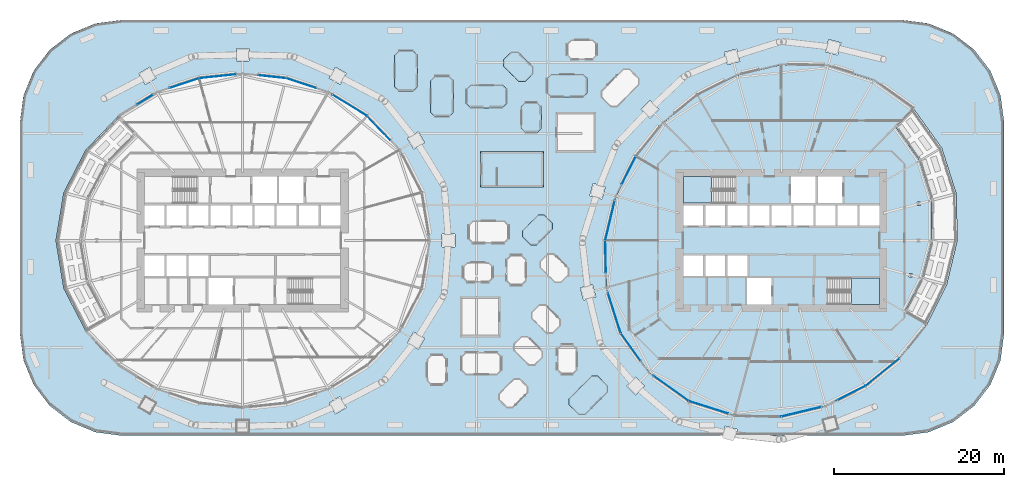
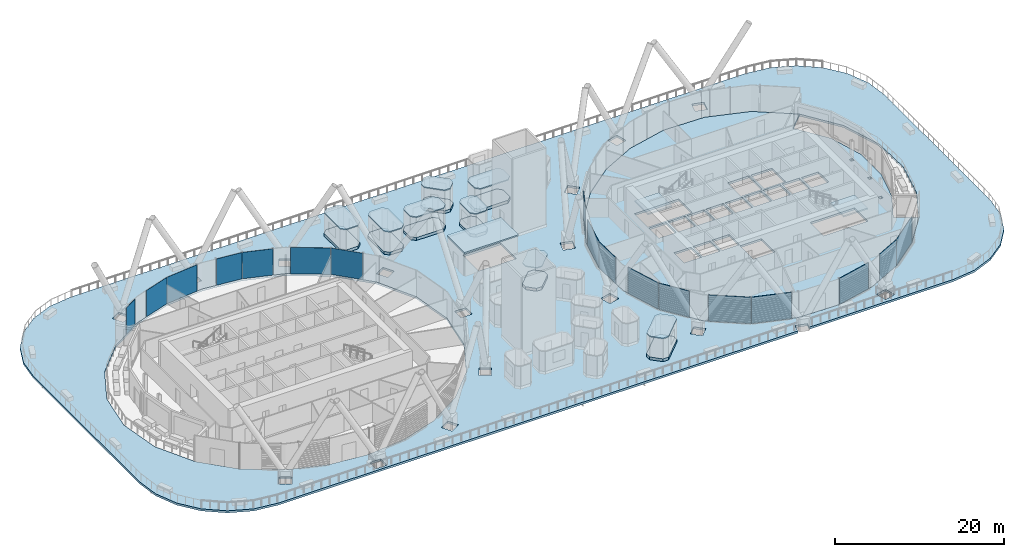
# One storey, part 22 of 47: 21 slabs, 17 plates, 4 elements without a shape of their own.
"""IFC4 building model written with IfcOpenShell, lengths in metres."""

import ifcopenshell
import ifcopenshell.guid

model = None  # the IFC model being written
_history = None  # IfcOwnerHistory: only IFC2X3 demands one
_inside = {}  # id of a spatial element -> (the spatial element, [elements in it])
_under = {}  # id of a project, library or spatial element -> (it, [spatial elements below it])
_declared = {}  # id of a project -> (the project, [libraries it declares])
_typed = {}  # id of a type object -> (the type object, [elements of that type])
_made_of = {}  # id of a material, layer set ... -> (it, [elements and type objects made of it])


def new_model(schema):
    """Start an empty IFC model of exactly this schema.

    Asked for "IFC4X3", IfcOpenShell would pick the latest addendum, in which some entities
    have other attributes; the version numbers below select the first issue.
    IFC2X3 requires an IfcOwnerHistory on every rooted entity: one is made here for all.
    """
    global model, _history
    if schema == "IFC4X3":
        model = ifcopenshell.file(schema_version=(4, 3, 0, 0))
    else:
        model = ifcopenshell.file(schema=schema)
    _inside.clear()
    _under.clear()
    _declared.clear()
    _typed.clear()
    _made_of.clear()
    _history = None
    if model.schema == "IFC2X3":
        org = make("IfcOrganization", Name="unknown")
        user = make(
            "IfcPersonAndOrganization",
            ThePerson=make("IfcPerson", FamilyName="unknown"),
            TheOrganization=org,
        )
        app = make(
            "IfcApplication",
            ApplicationDeveloper=org,
            Version="unknown",
            ApplicationFullName="unknown",
            ApplicationIdentifier="unknown",
        )
        _history = make(
            "IfcOwnerHistory",
            OwningUser=user,
            OwningApplication=app,
            ChangeAction="ADDED",
            CreationDate=0,
        )
    return model


def make(cls, **values):
    """One entity of the class cls with the attributes given. An attribute that is None is left unset."""
    return model.create_entity(
        cls, **{name: value for name, value in values.items() if value is not None}
    )


def rooted(cls, **values):
    """An entity with a GlobalId (a new one), such as an element, a storey or a relation."""
    return make(cls, GlobalId=ifcopenshell.guid.new(), OwnerHistory=_history, **values)


def si_unit(unit_type, name, prefix=None):
    """IfcSIUnit, for example si_unit("LENGTHUNIT", "METRE", prefix="MILLI")."""
    return make("IfcSIUnit", UnitType=unit_type, Prefix=prefix, Name=name)


def assignment(units):
    """IfcUnitAssignment: the units of a project."""
    return None if units is None else make("IfcUnitAssignment", Units=units)


def point(xyz):
    """IfcCartesianPoint."""
    return None if xyz is None else make("IfcCartesianPoint", Coordinates=xyz)


def direction(xyz):
    """IfcDirection."""
    return None if xyz is None else make("IfcDirection", DirectionRatios=xyz)


def frame(location, z_axis=None, x_axis=None):
    """IfcAxis2Placement3D, a coordinate frame: its origin and axes. An axis left out is left unset."""
    return make(
        "IfcAxis2Placement3D",
        Location=point(location),
        Axis=direction(z_axis),
        RefDirection=direction(x_axis),
    )


def frame_2d(location, x_axis=None):
    """IfcAxis2Placement2D, a coordinate frame in the plane: its origin and x axis."""
    return make(
        "IfcAxis2Placement2D", Location=point(location), RefDirection=direction(x_axis)
    )


def origin():
    """The frame at (0, 0, 0) with its axes left unset."""
    return frame((0.0, 0.0, 0.0))


def origin_2d():
    """The frame at (0, 0) in the plane with its x axis left unset."""
    return frame_2d((0.0, 0.0))


def place(relative_to, where):
    """IfcLocalPlacement: puts the frame where relative to a parent placement (None: the world)."""
    return make(
        "IfcLocalPlacement", PlacementRelTo=relative_to, RelativePlacement=where
    )


def context(
    kind, dimensions, precision=None, world=None, true_north=None, identifier=None
):
    """IfcGeometricRepresentationContext, for example the 3D "Model" context."""
    return make(
        "IfcGeometricRepresentationContext",
        ContextIdentifier=identifier,
        ContextType=kind,
        CoordinateSpaceDimension=dimensions,
        Precision=precision,
        WorldCoordinateSystem=world,
        TrueNorth=true_north,
    )


def subcontext(parent, identifier, kind, view, scale=None):
    """IfcGeometricRepresentationSubContext, for example "Body" below "Model"."""
    return make(
        "IfcGeometricRepresentationSubContext",
        ContextIdentifier=identifier,
        ContextType=kind,
        ParentContext=parent,
        TargetScale=scale,
        TargetView=view,
    )


def project(units=None, contexts=None):
    """IfcProject with its units and contexts."""
    return rooted(
        "IfcProject",
        Name="project",
        RepresentationContexts=contexts,
        UnitsInContext=assignment(units),
    )


def spatial(cls, under=None, at=None, **own):
    """A site, building, storey or space (cls), placed at a placement, below another one or the project."""
    s = rooted(cls, ObjectPlacement=at, **own)
    if under is not None:
        _under.setdefault(under.id(), (under, []))[1].append(s)
    return s


def polyline(points):
    """IfcPolyline through the points."""
    return make("IfcPolyline", Points=[point(p) for p in points])


def profile(cls, at=None, kind="AREA", **sizes):
    """A parametric profile (cls). Its sizes go by their IFC names, for example OverallWidth=200.0."""
    return make(cls, ProfileType=kind, Position=at, **sizes)


def rectangle(**sizes):
    """IfcRectangleProfileDef."""
    return profile("IfcRectangleProfileDef", **sizes)


def outline(outer, holes=None, kind="AREA"):
    """IfcArbitraryClosedProfileDef: a profile drawn as a closed curve; with holes, ...WithVoids."""
    if holes is None:
        return make("IfcArbitraryClosedProfileDef", ProfileType=kind, OuterCurve=outer)
    return make(
        "IfcArbitraryProfileDefWithVoids",
        ProfileType=kind,
        OuterCurve=outer,
        InnerCurves=holes,
    )


def extrude(swept, where, along, depth):
    """IfcExtrudedAreaSolid: the profile swept, set in the frame where, extruded along a direction by depth."""
    return make(
        "IfcExtrudedAreaSolid",
        SweptArea=swept,
        Position=where,
        ExtrudedDirection=direction(along),
        Depth=depth,
    )


def shape(context_of_items, identifier, shape_type, items):
    """IfcShapeRepresentation: the items that make up one representation, for example the "Body"."""
    return make(
        "IfcShapeRepresentation",
        ContextOfItems=context_of_items,
        RepresentationIdentifier=identifier,
        RepresentationType=shape_type,
        Items=items,
    )


def material(Name=None, Category=None):
    """IfcMaterial."""
    return make("IfcMaterial", Name=Name, Category=Category)


def layer(
    of_material, thickness, ventilated=None, Name=None, Category=None, Priority=None
):
    """IfcMaterialLayer: one layer of a wall or slab, of a material (None: an air gap)."""
    return make(
        "IfcMaterialLayer",
        Material=of_material,
        LayerThickness=thickness,
        IsVentilated=ventilated,
        Name=Name,
        Category=Category,
        Priority=Priority,
    )


def layer_set(layers, Name=None):
    """IfcMaterialLayerSet."""
    return make("IfcMaterialLayerSet", MaterialLayers=layers, LayerSetName=Name)


def made_of(thing, what):
    """Note that an element or type object is made of a material, layer set ...; save() writes the relation."""
    if what is not None:
        _made_of.setdefault(what.id(), (what, []))[1].append(thing)
    return thing


def type_object(cls, material=None, **own):
    """A type object (cls), such as IfcWallType, which elements share."""
    return made_of(rooted(cls, **own), material)


def element(
    cls,
    number,
    at=None,
    inside=None,
    cuts=None,
    type_object=None,
    material=None,
    context=None,
    identifier="Body",
    shape_type=None,
    held_by="IfcProductDefinitionShape",
    body=None,
    shapes=None,
    **own,
):
    """One element of the class cls, such as IfcWall. Its Tag is "e" and its number.

    at: its placement. inside: the storey or other place that contains it. cuts: it is an
    opening in that element (IfcRelVoidsElement). A single representation is given by context,
    identifier, shape_type and body (its items); several are given by shapes. held_by: the class
    of the entity that holds the representations. save() writes the other relations.
    """
    e = rooted(cls, Tag="e%d" % number, ObjectPlacement=at, **own)
    if body is not None:
        shapes = [shape(context, identifier, shape_type, body)]
    if shapes is not None:
        e.Representation = make(held_by, Representations=shapes)
    if inside is not None:
        _inside.setdefault(inside.id(), (inside, []))[1].append(e)
    if cuts is not None:
        rooted(
            "IfcRelVoidsElement", RelatingBuildingElement=cuts, RelatedOpeningElement=e
        )
    if type_object is not None:
        _typed.setdefault(type_object.id(), (type_object, []))[1].append(e)
    return made_of(e, material)


def aggregate(whole, parts):
    """IfcRelAggregates: a whole, such as a stair, and the parts it consists of."""
    return rooted("IfcRelAggregates", RelatingObject=whole, RelatedObjects=parts)


def save(model, path):
    """Write the relations noted so far, then the file.

    IfcRelAggregates (storeys below a building ...), IfcRelContainedInSpatialStructure (elements
    in a storey), IfcRelDefinesByType, IfcRelAssociatesMaterial and IfcRelDeclares: one each for
    every whole, place, type object, material and project.
    """
    for whole, parts in _under.values():
        aggregate(whole, parts)
    for where, things in _inside.values():
        rooted(
            "IfcRelContainedInSpatialStructure",
            RelatedElements=things,
            RelatingStructure=where,
        )
    for kind, things in _typed.values():
        rooted("IfcRelDefinesByType", RelatedObjects=things, RelatingType=kind)
    for what, things in _made_of.values():
        rooted("IfcRelAssociatesMaterial", RelatedObjects=things, RelatingMaterial=what)
    for by, libraries in _declared.values():
        rooted("IfcRelDeclares", RelatingContext=by, RelatedDefinitions=libraries)
    model.write(path)


model = new_model("IFC4")

# Units and contexts
model_context = context("Model", 3, precision=1e-05, world=origin(), true_north=direction((0.0, 1.0)))
body_context = subcontext(model_context, "Body", "Model", "MODEL_VIEW")
ifc_project = project(units=[si_unit("LENGTHUNIT", "METRE"), si_unit("AREAUNIT", "SQUARE_METRE"), si_unit("VOLUMEUNIT", "CUBIC_METRE"), si_unit("PLANEANGLEUNIT", "RADIAN"), si_unit("MASSUNIT", "GRAM", prefix="KILO")], contexts=[model_context])

# Site, building, storey
site_placement = place(None, origin())
site = spatial("IfcSite", under=ifc_project, at=site_placement, CompositionType="ELEMENT")
building_placement = place(site_placement, origin())
building = spatial("IfcBuilding", under=site, at=building_placement, Name="Rimbun Link Towers", CompositionType="ELEMENT")
storey_placement = place(building_placement, frame((0.0, 0.0, 30.0)))
storey = spatial("IfcBuildingStorey", under=building, at=storey_placement, Name="L06", CompositionType="ELEMENT", Elevation=30.0)

# Slabs
ifc_material_1 = material(Name="Concrete C40/50", Category="concrete")
ifc_layer_1 = layer(ifc_material_1, 0.409912109375)
ifc_layer_set_1 = layer_set([ifc_layer_1], Name="CAPSULE plinth slab 410")
slab_type_1 = type_object("IfcSlabType", Name="CAPSULE plinth slab 410", PredefinedType="FLOOR", material=ifc_layer_set_1)
slab_1_placement = place(storey_placement, origin())
element("IfcSlab", 1, at=slab_1_placement, inside=storey, type_object=slab_type_1, Name="CAPSULE P07 floor panel", PredefinedType="FLOOR", context=body_context, shape_type="SweptSolid", body=[
    extrude(outline(polyline([(3.798583984375, 2.9970703125), (3.050048828125, 2.9970703125), (1.2529296875, 1.199951171875), (1.2529296875, 0.451416015625), (2.201416015625, -0.4970703125), (2.949951171875, -0.4970703125), (4.7470703125, 1.300048828125), (4.7470703125, 2.048583984375), (3.798583984375, 2.9970703125)])), origin(), (0.0, 0.0, 1.0), 0.409912109375),
])
slab_2_placement = place(storey_placement, origin())
element("IfcSlab", 2, at=slab_2_placement, inside=storey, type_object=slab_type_1, Name="CAPSULE P09 floor panel", PredefinedType="FLOOR", context=body_context, shape_type="SweptSolid", body=[
    extrude(outline(polyline([(-0.60009765625, 17.82080078125), (-1.12939453125, 18.35009765625), (-4.87060546875, 18.35009765625), (-5.39990234375, 17.82080078125), (-5.39990234375, 16.17919921875), (-4.87060546875, 15.64990234375), (-1.12939453125, 15.64990234375), (-0.60009765625, 16.17919921875), (-0.60009765625, 17.82080078125)])), origin(), (0.0, 0.0, 1.0), 0.409912109375),
])
slab_3_placement = place(storey_placement, origin())
element("IfcSlab", 3, at=slab_3_placement, inside=storey, type_object=slab_type_1, Name="CAPSULE P10 floor panel", PredefinedType="FLOOR", context=body_context, shape_type="SweptSolid", body=[
    extrude(outline(polyline([(-9.07080078125, 19.39990234375), (-9.60009765625, 18.87060546875), (-9.60009765625, 15.12939453125), (-9.07080078125, 14.60009765625), (-7.42919921875, 14.60009765625), (-6.89990234375, 15.12939453125), (-6.89990234375, 18.87060546875), (-7.42919921875, 19.39990234375), (-9.07080078125, 19.39990234375)])), origin(), (0.0, 0.0, 1.0), 0.409912109375),
])
slab_4_placement = place(storey_placement, origin())
element("IfcSlab", 4, at=slab_4_placement, inside=storey, type_object=slab_type_1, Name="CAPSULE P12 floor panel", PredefinedType="FLOOR", context=body_context, shape_type="SweptSolid", body=[
    extrude(outline(polyline([(10.11669921875, -15.97265625), (9.3681640625, -15.97265625), (6.72265625, -18.6181640625), (6.72265625, -19.36669921875), (7.88330078125, -20.52734375), (8.6318359375, -20.52734375), (11.27734375, -17.8818359375), (11.27734375, -17.13330078125), (10.11669921875, -15.97265625)])), origin(), (0.0, 0.0, 1.0), 0.409912109375),
])
slab_5_placement = place(storey_placement, origin())
element("IfcSlab", 5, at=slab_5_placement, inside=storey, type_object=slab_type_1, Name="CAPSULE P15 floor panel", PredefinedType="FLOOR", context=body_context, shape_type="SweptSolid", body=[
    extrude(outline(polyline([(1.579345703125, 16.300048828125), (1.050048828125, 15.770751953125), (1.050048828125, 13.229248046875), (1.579345703125, 12.699951171875), (2.920654296875, 12.699951171875), (3.449951171875, 13.229248046875), (3.449951171875, 15.770751953125), (2.920654296875, 16.300048828125), (1.579345703125, 16.300048828125)])), origin(), (0.0, 0.0, 1.0), 0.409912109375),
])
slab_6_placement = place(storey_placement, origin())
element("IfcSlab", 6, at=slab_6_placement, inside=storey, type_object=slab_type_1, Name="CAPSULE P16 floor panel", PredefinedType="FLOOR", context=body_context, shape_type="SweptSolid", body=[
    extrude(outline(polyline([(8.89990234375, 19.07080078125), (8.37060546875, 19.60009765625), (4.62939453125, 19.60009765625), (4.10009765625, 19.07080078125), (4.10009765625, 17.42919921875), (4.62939453125, 16.89990234375), (8.37060546875, 16.89990234375), (8.89990234375, 17.42919921875), (8.89990234375, 19.07080078125)])), origin(), (0.0, 0.0, 1.0), 0.409912109375),
])
slab_7_placement = place(storey_placement, origin())
element("IfcSlab", 7, at=slab_7_placement, inside=storey, type_object=slab_type_1, Name="CAPSULE P18 floor panel", PredefinedType="FLOOR", context=body_context, shape_type="SweptSolid", body=[
    extrude(outline(polyline([(-13.32080078125, 22.39990234375), (-13.85009765625, 21.87060546875), (-13.85009765625, 18.12939453125), (-13.32080078125, 17.60009765625), (-11.67919921875, 17.60009765625), (-11.14990234375, 18.12939453125), (-11.14990234375, 21.87060546875), (-11.67919921875, 22.39990234375), (-13.32080078125, 22.39990234375)])), origin(), (0.0, 0.0, 1.0), 0.409912109375),
])
slab_8_placement = place(storey_placement, origin())
element("IfcSlab", 8, at=slab_8_placement, inside=storey, type_object=slab_type_1, Name="CAPSULE P19 floor panel", PredefinedType="FLOOR", context=body_context, shape_type="SweptSolid", body=[
    extrude(outline(polyline([(-0.9970703125, 21.298583984375), (-0.9970703125, 20.550048828125), (0.800048828125, 18.7529296875), (1.548583984375, 18.7529296875), (2.4970703125, 19.701416015625), (2.4970703125, 20.449951171875), (0.699951171875, 22.2470703125), (-0.048583984375, 22.2470703125), (-0.9970703125, 21.298583984375)])), origin(), (0.0, 0.0, 1.0), 0.409912109375),
])
ifc_material_2 = material(Name="Insulated metal roof panel with terracotta fascia", Category="masonry")
ifc_layer_2 = layer(ifc_material_2, 0.14990234375)
ifc_layer_set_2 = layer_set([ifc_layer_2], Name="CAPSULE roof panel 150")
slab_type_2 = type_object("IfcSlabType", Name="CAPSULE roof panel 150", PredefinedType="ROOF", material=ifc_layer_set_2)
slab_9_placement = place(storey_placement, frame((0.0, 0.0, 3.260009765625)))
element("IfcSlab", 9, at=slab_9_placement, inside=storey, type_object=slab_type_2, Name="CAPSULE P07 roof panel", PredefinedType="ROOF", context=body_context, shape_type="SweptSolid", body=[
    extrude(outline(polyline([(3.798583984375, 2.9970703125), (3.050048828125, 2.9970703125), (1.2529296875, 1.199951171875), (1.2529296875, 0.451416015625), (2.201416015625, -0.4970703125), (2.949951171875, -0.4970703125), (4.7470703125, 1.300048828125), (4.7470703125, 2.048583984375), (3.798583984375, 2.9970703125)])), origin(), (0.0, 0.0, 1.0), 0.14990234375),
])
slab_10_placement = place(storey_placement, frame((0.0, 0.0, 3.260009765625)))
element("IfcSlab", 10, at=slab_10_placement, inside=storey, type_object=slab_type_2, Name="CAPSULE P09 roof panel", PredefinedType="ROOF", context=body_context, shape_type="SweptSolid", body=[
    extrude(outline(polyline([(-0.60009765625, 17.82080078125), (-1.12939453125, 18.35009765625), (-4.87060546875, 18.35009765625), (-5.39990234375, 17.82080078125), (-5.39990234375, 16.17919921875), (-4.87060546875, 15.64990234375), (-1.12939453125, 15.64990234375), (-0.60009765625, 16.17919921875), (-0.60009765625, 17.82080078125)])), origin(), (0.0, 0.0, 1.0), 0.14990234375),
])
slab_11_placement = place(storey_placement, frame((0.0, 0.0, 3.260009765625)))
element("IfcSlab", 11, at=slab_11_placement, inside=storey, type_object=slab_type_2, Name="CAPSULE P10 roof panel", PredefinedType="ROOF", context=body_context, shape_type="SweptSolid", body=[
    extrude(outline(polyline([(-9.07080078125, 19.39990234375), (-9.60009765625, 18.87060546875), (-9.60009765625, 15.12939453125), (-9.07080078125, 14.60009765625), (-7.42919921875, 14.60009765625), (-6.89990234375, 15.12939453125), (-6.89990234375, 18.87060546875), (-7.42919921875, 19.39990234375), (-9.07080078125, 19.39990234375)])), origin(), (0.0, 0.0, 1.0), 0.14990234375),
])
slab_12_placement = place(storey_placement, frame((0.0, 0.0, 3.260009765625)))
element("IfcSlab", 12, at=slab_12_placement, inside=storey, type_object=slab_type_2, Name="CAPSULE P12 roof panel", PredefinedType="ROOF", context=body_context, shape_type="SweptSolid", body=[
    extrude(outline(polyline([(10.11669921875, -15.97265625), (9.3681640625, -15.97265625), (6.72265625, -18.6181640625), (6.72265625, -19.36669921875), (7.88330078125, -20.52734375), (8.6318359375, -20.52734375), (11.27734375, -17.8818359375), (11.27734375, -17.13330078125), (10.11669921875, -15.97265625)])), origin(), (0.0, 0.0, 1.0), 0.14990234375),
])
slab_13_placement = place(storey_placement, frame((0.0, 0.0, 3.260009765625)))
element("IfcSlab", 13, at=slab_13_placement, inside=storey, type_object=slab_type_2, Name="CAPSULE P15 roof panel", PredefinedType="ROOF", context=body_context, shape_type="SweptSolid", body=[
    extrude(outline(polyline([(1.579345703125, 16.300048828125), (1.050048828125, 15.770751953125), (1.050048828125, 13.229248046875), (1.579345703125, 12.699951171875), (2.920654296875, 12.699951171875), (3.449951171875, 13.229248046875), (3.449951171875, 15.770751953125), (2.920654296875, 16.300048828125), (1.579345703125, 16.300048828125)])), origin(), (0.0, 0.0, 1.0), 0.14990234375),
])
slab_14_placement = place(storey_placement, frame((0.0, 0.0, 3.260009765625)))
element("IfcSlab", 14, at=slab_14_placement, inside=storey, type_object=slab_type_2, Name="CAPSULE P16 roof panel", PredefinedType="ROOF", context=body_context, shape_type="SweptSolid", body=[
    extrude(outline(polyline([(8.89990234375, 19.07080078125), (8.37060546875, 19.60009765625), (4.62939453125, 19.60009765625), (4.10009765625, 19.07080078125), (4.10009765625, 17.42919921875), (4.62939453125, 16.89990234375), (8.37060546875, 16.89990234375), (8.89990234375, 17.42919921875), (8.89990234375, 19.07080078125)])), origin(), (0.0, 0.0, 1.0), 0.14990234375),
])
slab_15_placement = place(storey_placement, frame((0.0, 0.0, 3.260009765625)))
element("IfcSlab", 15, at=slab_15_placement, inside=storey, type_object=slab_type_2, Name="CAPSULE P18 roof panel", PredefinedType="ROOF", context=body_context, shape_type="SweptSolid", body=[
    extrude(outline(polyline([(-13.32080078125, 22.39990234375), (-13.85009765625, 21.87060546875), (-13.85009765625, 18.12939453125), (-13.32080078125, 17.60009765625), (-11.67919921875, 17.60009765625), (-11.14990234375, 18.12939453125), (-11.14990234375, 21.87060546875), (-11.67919921875, 22.39990234375), (-13.32080078125, 22.39990234375)])), origin(), (0.0, 0.0, 1.0), 0.14990234375),
])
slab_16_placement = place(storey_placement, frame((0.0, 0.0, 3.260009765625)))
element("IfcSlab", 16, at=slab_16_placement, inside=storey, type_object=slab_type_2, Name="CAPSULE P19 roof panel", PredefinedType="ROOF", context=body_context, shape_type="SweptSolid", body=[
    extrude(outline(polyline([(-0.9970703125, 21.298583984375), (-0.9970703125, 20.550048828125), (0.800048828125, 18.7529296875), (1.548583984375, 18.7529296875), (2.4970703125, 19.701416015625), (2.4970703125, 20.449951171875), (0.699951171875, 22.2470703125), (-0.048583984375, 22.2470703125), (-0.9970703125, 21.298583984375)])), origin(), (0.0, 0.0, 1.0), 0.14990234375),
])
ifc_material_3 = material(Name="Concrete C35/45", Category="concrete")
ifc_layer_3 = layer(ifc_material_3, 0.300048828125)
ifc_layer_set_3 = layer_set([ifc_layer_3], Name="COMPOSITE FLOOR 300")
slab_type_3 = type_object("IfcSlabType", Name="COMPOSITE FLOOR 300", PredefinedType="FLOOR", material=ifc_layer_set_3)
slab_17_placement = place(storey_placement, frame((0.0, 0.0, -0.300048828125)))
element("IfcSlab", 17, at=slab_17_placement, inside=storey, type_object=slab_type_3, Name="Floor slab T2 L06", PredefinedType="FLOOR", context=body_context, shape_type="SweptSolid", body=[
    extrude(outline(polyline([(45.647705078125, -13.897705078125), (41.64453125, -17.1376953125), (36.970947265625, -19.48486328125), (31.75, -20.7333984375), (26.2255859375, -20.6171875), (20.836181640625, -18.903076171875), (16.184814453125, -15.565185546875), (12.846923828125, -10.913818359375), (11.1328125, -5.5244140625), (11.0166015625, 0.0), (12.26513671875, 5.220947265625), (14.6123046875, 9.89453125), (17.852294921875, 13.897705078125), (21.85546875, 17.1376953125), (26.529052734375, 19.48486328125), (31.75, 20.7333984375), (37.2744140625, 20.6171875), (42.663818359375, 18.903076171875), (47.315185546875, 15.565185546875), (45.194091796875, 13.444091796875), (48.054931640625, 9.413818359375), (49.46923828125, 4.747802734375), (49.4833984375, 0.0), (48.337158203125, -4.444580078125), (46.289794921875, -8.39453125), (48.8876953125, -9.89453125), (45.647705078125, -13.897705078125)]), holes=[polyline([(30.60009765625, -7.550048828125), (30.60009765625, -4.39990234375), (27.699951171875, -4.39990234375), (27.699951171875, -7.550048828125), (30.60009765625, -7.550048828125)]), polyline([(22.54443359375, -4.14990234375), (22.54443359375, -1.75), (20.199951171875, -1.75), (20.199951171875, -4.14990234375), (22.54443359375, -4.14990234375)]), polyline([(25.138916015625, -4.14990234375), (25.138916015625, -1.75), (22.79443359375, -1.75), (22.79443359375, -4.14990234375), (25.138916015625, -4.14990234375)]), polyline([(25.388916015625, -4.14990234375), (27.7333984375, -4.14990234375), (27.7333984375, -1.75), (25.388916015625, -1.75), (25.388916015625, -4.14990234375)]), polyline([(20.199951171875, 1.75), (22.54443359375, 1.75), (22.54443359375, 4.14990234375), (20.199951171875, 4.14990234375), (20.199951171875, 1.75)]), polyline([(25.138916015625, 1.75), (25.138916015625, 4.14990234375), (22.79443359375, 4.14990234375), (22.79443359375, 1.75), (25.138916015625, 1.75)]), polyline([(27.7333984375, 1.75), (27.7333984375, 4.14990234375), (25.388916015625, 4.14990234375), (25.388916015625, 1.75), (27.7333984375, 1.75)]), polyline([(30.327880859375, 1.75), (30.327880859375, 4.14990234375), (27.9833984375, 4.14990234375), (27.9833984375, 1.75), (30.327880859375, 1.75)]), polyline([(30.577880859375, 1.75), (32.922119140625, 1.75), (32.922119140625, 4.14990234375), (30.577880859375, 4.14990234375), (30.577880859375, 1.75)]), polyline([(20.199951171875, 4.39990234375), (26.239990234375, 4.39990234375), (26.239990234375, 7.550048828125), (20.199951171875, 7.550048828125), (20.199951171875, 4.39990234375)]), polyline([(43.300048828125, -7.550048828125), (43.300048828125, -4.39990234375), (37.260009765625, -4.39990234375), (37.260009765625, -7.550048828125), (43.300048828125, -7.550048828125)]), polyline([(47.22412109375, -4.28955078125), (47.22412109375, -3.89599609375), (46.824951171875, -3.89599609375), (46.824951171875, -4.28955078125), (47.22412109375, -4.28955078125)]), polyline([(48.117431640625, -0.19677734375), (48.117431640625, 0.19677734375), (47.718505859375, 0.19677734375), (47.718505859375, -0.19677734375), (48.117431640625, -0.19677734375)]), polyline([(33.172119140625, 1.75), (35.5166015625, 1.75), (35.5166015625, 4.14990234375), (33.172119140625, 4.14990234375), (33.172119140625, 1.75)]), polyline([(35.7666015625, 1.75), (38.111083984375, 1.75), (38.111083984375, 4.14990234375), (35.7666015625, 4.14990234375), (35.7666015625, 1.75)]), polyline([(40.70556640625, 1.75), (40.70556640625, 4.14990234375), (38.361083984375, 4.14990234375), (38.361083984375, 1.75), (40.70556640625, 1.75)]), polyline([(43.300048828125, 1.75), (43.300048828125, 4.14990234375), (40.95556640625, 4.14990234375), (40.95556640625, 1.75), (43.300048828125, 1.75)]), polyline([(48.127685546875, 4.13818359375), (48.127685546875, 4.53173828125), (47.728759765625, 4.53173828125), (47.728759765625, 4.13818359375), (48.127685546875, 4.13818359375)]), polyline([(32.89990234375, 4.39990234375), (35.800048828125, 4.39990234375), (35.800048828125, 7.550048828125), (32.89990234375, 7.550048828125), (32.89990234375, 4.39990234375)]), polyline([(36.050048828125, 4.39990234375), (38.949951171875, 4.39990234375), (38.949951171875, 7.550048828125), (36.050048828125, 7.550048828125), (36.050048828125, 4.39990234375)])]), origin(), (0.0, 0.0, 1.0), 0.300048828125),
])

# Curtain wall, plates
ifc_material_4 = material(Name="Aluminium 6063-T6 and low-iron glass", Category="aluminium")
curtain_wall_type = type_object("IfcCurtainWallType", Name="CW1 unitised vision wall", PredefinedType="NOTDEFINED", material=ifc_material_4)
curtain_wall_1_placement = place(storey_placement, origin())
curtain_wall_1 = element("IfcCurtainWall", 18, at=curtain_wall_1_placement, inside=storey, type_object=curtain_wall_type, Name="CW1 L06 T1", PredefinedType="NOTDEFINED")
ifc_material_5 = material(Name="Low-iron glass, laminated low-e unit", Category="glass")
ifc_layer_4 = layer(ifc_material_5, 0.028076171875)
ifc_layer_set_4 = layer_set([ifc_layer_4], Name="CW1 panel Low-iron glass 28")
plate_type = type_object("IfcPlateType", Name="CW1 panel Low-iron glass 28", PredefinedType="CURTAIN_PANEL", material=ifc_layer_set_4)
plate_1_placement = place(storey_placement, frame((-15.703369140625, 13.235595703125, 0.0), z_axis=(0.0, 0.0, 1.0), x_axis=(0.692055501744, -0.721844292424, 0.0)))
plate_1 = element("IfcPlate", 19, at=plate_1_placement, type_object=plate_type, Name="CW1 panel", PredefinedType="CURTAIN_PANEL", context=body_context, shape_type="SweptSolid", body=[
    extrude(rectangle(XDim=3.935546875, YDim=0.028076171875, at=origin_2d()), origin(), (0.0, 0.0, 1.0), 3.800048828125),
])
plate_2_placement = place(storey_placement, frame((-19.134765625, 15.933349609375, 0.0), z_axis=(0.0, 0.0, 1.0), x_axis=(0.85219002421, -0.523232417417, 0.0)))
plate_2 = element("IfcPlate", 20, at=plate_2_placement, type_object=plate_type, Name="CW1 panel", PredefinedType="CURTAIN_PANEL", context=body_context, shape_type="SweptSolid", body=[
    extrude(rectangle(XDim=4.778076171875, YDim=0.028076171875, at=origin_2d()), origin(), (0.0, 0.0, 1.0), 3.800048828125),
])
plate_3_placement = place(storey_placement, frame((-24.853515625, 18.541259765625, 0.0), z_axis=(0.0, 0.0, 1.0), x_axis=(0.949236355837, -0.314563730837, 0.0)))
plate_3 = element("IfcPlate", 21, at=plate_3_placement, type_object=plate_type, Name="CW1 panel", PredefinedType="CURTAIN_PANEL", context=body_context, shape_type="SweptSolid", body=[
    extrude(rectangle(XDim=3.689697265625, YDim=0.028076171875, at=origin_2d()), origin(), (0.0, 0.0, 1.0), 3.800048828125),
])
plate_4_placement = place(storey_placement, frame((-28.29248046875, 19.30419921875, 0.0), z_axis=(0.0, 0.0, 1.0), x_axis=(0.994498109267, -0.104754525743, 0.0)))
plate_4 = element("IfcPlate", 22, at=plate_4_placement, type_object=plate_type, Name="CW1 panel", PredefinedType="CURTAIN_PANEL", context=body_context, shape_type="SweptSolid", body=[
    extrude(rectangle(XDim=3.31005859375, YDim=0.028076171875, at=origin_2d()), origin(), (0.0, 0.0, 1.0), 3.800048828125),
])
plate_5_placement = place(storey_placement, frame((-34.685302734375, 19.359130859375, 0.0), z_axis=(0.0, 0.0, 1.0), x_axis=(0.994498109267, 0.104754525743, 0.0)))
plate_5 = element("IfcPlate", 23, at=plate_5_placement, type_object=plate_type, Name="CW1 panel", PredefinedType="CURTAIN_PANEL", context=body_context, shape_type="SweptSolid", body=[
    extrude(rectangle(XDim=4.360107421875, YDim=0.028076171875, at=origin_2d()), origin(), (0.0, 0.0, 1.0), 3.800048828125),
])
plate_6_placement = place(storey_placement, frame((-38.622802734375, 18.54931640625, 0.0), z_axis=(0.0, 0.0, 1.0), x_axis=(0.949236355837, 0.314563730837, 0.0)))
plate_6 = element("IfcPlate", 24, at=plate_6_placement, type_object=plate_type, Name="CW1 panel", PredefinedType="CURTAIN_PANEL", context=body_context, shape_type="SweptSolid", body=[
    extrude(rectangle(XDim=3.639892578125, YDim=0.028076171875, at=origin_2d()), origin(), (0.0, 0.0, 1.0), 3.800048828125),
])
plate_7_placement = place(storey_placement, frame((-43.25732421875, 16.613525390625, 0.0), z_axis=(0.0, 0.0, 1.0), x_axis=(0.85219002421, 0.523232417417, 0.0)))
plate_7 = element("IfcPlate", 25, at=plate_7_placement, type_object=plate_type, Name="CW1 panel", PredefinedType="CURTAIN_PANEL", context=body_context, shape_type="SweptSolid", body=[
    extrude(rectangle(XDim=2.17822265625, YDim=0.028076171875, at=origin_2d()), origin(), (0.0, 0.0, 1.0), 3.800048828125),
])
aggregate(curtain_wall_1, [plate_1, plate_2, plate_3, plate_4, plate_5, plate_6, plate_7])

curtain_wall_2_placement = place(storey_placement, origin())
curtain_wall_2 = element("IfcCurtainWall", 26, at=curtain_wall_2_placement, inside=storey, type_object=curtain_wall_type, Name="CW1 L06 T2", PredefinedType="NOTDEFINED")
plate_8_placement = place(storey_placement, frame((13.77392578125, 8.256591796875, 0.0), z_axis=(0.0, 0.0, 1.0), x_axis=(0.448773200217, 0.893645687489, 0.0)))
plate_8 = element("IfcPlate", 27, at=plate_8_placement, type_object=plate_type, Name="CW1 panel", PredefinedType="CURTAIN_PANEL", context=body_context, shape_type="SweptSolid", body=[
    extrude(rectangle(XDim=3.639892578125, YDim=0.028076171875, at=origin_2d()), origin(), (0.0, 0.0, 1.0), 3.800048828125),
])
plate_9_placement = place(storey_placement, frame((11.563232421875, 2.34619140625, 0.0), z_axis=(0.0, 0.0, 1.0), x_axis=(0.23261266824, 0.972569455913, 0.0)))
plate_9 = element("IfcPlate", 28, at=plate_9_placement, type_object=plate_type, Name="CW1 panel", PredefinedType="CURTAIN_PANEL", context=body_context, shape_type="SweptSolid", body=[
    extrude(rectangle(XDim=4.778076171875, YDim=0.028076171875, at=origin_2d()), origin(), (0.0, 0.0, 1.0), 3.800048828125),
])
plate_10_placement = place(storey_placement, frame((11.042724609375, -1.91259765625, 0.0), z_axis=(0.0, 0.0, 1.0), x_axis=(-0.021065867113, 0.999778089999, 0.0)))
plate_10 = element("IfcPlate", 29, at=plate_10_placement, type_object=plate_type, Name="CW1 panel", PredefinedType="CURTAIN_PANEL", context=body_context, shape_type="SweptSolid", body=[
    extrude(rectangle(XDim=3.78564453125, YDim=0.028076171875, at=origin_2d()), origin(), (0.0, 0.0, 1.0), 3.800048828125),
])
plate_11_placement = place(storey_placement, frame((12.08251953125, -8.556884765625, 0.0), z_axis=(0.0, 0.0, 1.0), x_axis=(-0.303073741351, 0.952967107147, 0.0)))
plate_11 = element("IfcPlate", 30, at=plate_11_placement, type_object=plate_type, Name="CW1 panel", PredefinedType="CURTAIN_PANEL", context=body_context, shape_type="SweptSolid", body=[
    extrude(rectangle(XDim=4.915283203125, YDim=0.028076171875, at=origin_2d()), origin(), (0.0, 0.0, 1.0), 3.800048828125),
])
plate_12_placement = place(storey_placement, frame((14.0087890625, -12.55712890625, 0.0), z_axis=(0.0, 0.0, 1.0), x_axis=(-0.58299812018, 0.812473502255, 0.0)))
plate_12 = element("IfcPlate", 31, at=plate_12_placement, type_object=plate_type, Name="CW1 panel", PredefinedType="CURTAIN_PANEL", context=body_context, shape_type="SweptSolid", body=[
    extrude(rectangle(XDim=3.9853515625, YDim=0.028076171875, at=origin_2d()), origin(), (0.0, 0.0, 1.0), 3.800048828125),
])
plate_13_placement = place(storey_placement, frame((18.766357421875, -17.43505859375, 0.0), z_axis=(0.0, 0.0, 1.0), x_axis=(-0.812473502255, 0.58299812018, 0.0)))
plate_13 = element("IfcPlate", 32, at=plate_13_placement, type_object=plate_type, Name="CW1 panel", PredefinedType="CURTAIN_PANEL", context=body_context, shape_type="SweptSolid", body=[
    extrude(rectangle(XDim=5.03515625, YDim=0.028076171875, at=origin_2d()), origin(), (0.0, 0.0, 1.0), 3.800048828125),
])
plate_14_placement = place(storey_placement, frame((23.16943359375, -19.65966796875, 0.0), z_axis=(0.0, 0.0, 1.0), x_axis=(-0.952967107147, 0.303073741351, 0.0)))
plate_14 = element("IfcPlate", 33, at=plate_14_placement, type_object=plate_type, Name="CW1 panel", PredefinedType="CURTAIN_PANEL", context=body_context, shape_type="SweptSolid", body=[
    extrude(rectangle(XDim=4.865478515625, YDim=0.028076171875, at=origin_2d()), origin(), (0.0, 0.0, 1.0), 3.800048828125),
])
plate_15_placement = place(storey_placement, frame((34.09619140625, -20.186767578125, 0.0), z_axis=(0.0, 0.0, 1.0), x_axis=(-0.972569455913, -0.23261266824, 0.0)))
plate_15 = element("IfcPlate", 34, at=plate_15_placement, type_object=plate_type, Name="CW1 panel", PredefinedType="CURTAIN_PANEL", context=body_context, shape_type="SweptSolid", body=[
    extrude(rectangle(XDim=4.778076171875, YDim=0.028076171875, at=origin_2d()), origin(), (0.0, 0.0, 1.0), 3.800048828125),
])
plate_16_placement = place(storey_placement, frame((40.006591796875, -17.97607421875, 0.0), z_axis=(0.0, 0.0, 1.0), x_axis=(-0.893645687489, -0.448773200217, 0.0)))
plate_16 = element("IfcPlate", 35, at=plate_16_placement, type_object=plate_type, Name="CW1 panel", PredefinedType="CURTAIN_PANEL", context=body_context, shape_type="SweptSolid", body=[
    extrude(rectangle(XDim=3.639892578125, YDim=0.028076171875, at=origin_2d()), origin(), (0.0, 0.0, 1.0), 3.800048828125),
])
plate_17_placement = place(storey_placement, frame((43.65478515625, -15.528564453125, 0.0), z_axis=(0.0, 0.0, 1.0), x_axis=(-0.777283304345, -0.629150748856, 0.0)))
plate_17 = element("IfcPlate", 36, at=plate_17_placement, type_object=plate_type, Name="CW1 panel", PredefinedType="CURTAIN_PANEL", context=body_context, shape_type="SweptSolid", body=[
    extrude(rectangle(XDim=5.110107421875, YDim=0.028076171875, at=origin_2d()), origin(), (0.0, 0.0, 1.0), 3.800048828125),
])
aggregate(curtain_wall_2, [plate_8, plate_9, plate_10, plate_11, plate_12, plate_13, plate_14, plate_15, plate_16, plate_17])

# Slabs
ifc_material_6 = material(Name="Concrete C40/50", Category="concrete")
ifc_layer_5 = layer(ifc_material_6, 0.300048828125)
ifc_layer_set_5 = layer_set([ifc_layer_5], Name="PODIUM TERRACE SLAB 300")
slab_type_4 = type_object("IfcSlabType", Name="PODIUM TERRACE SLAB 300", PredefinedType="FLOOR", material=ifc_layer_set_5)
slab_18_placement = place(storey_placement, frame((0.0, 0.0, -0.300048828125)))
element("IfcSlab", 37, at=slab_18_placement, inside=storey, type_object=slab_type_4, Name="Terrace slab L06", PredefinedType="FLOOR", context=body_context, shape_type="SweptSolid", body=[
    extrude(outline(polyline([(-52.0, -21.392333984375), (-54.4853515625, -19.4853515625), (-56.392333984375, -17.0), (-57.591064453125, -14.105712890625), (-58.0, -11.0), (-58.0, 14.0), (-57.591064453125, 17.105712890625), (-56.392333984375, 20.0), (-54.4853515625, 22.4853515625), (-52.0, 24.392333984375), (-49.105712890625, 25.591064453125), (-46.0, 26.0), (46.0, 26.0), (49.105712890625, 25.591064453125), (52.0, 24.392333984375), (54.4853515625, 22.4853515625), (56.392333984375, 20.0), (57.591064453125, 17.105712890625), (58.0, 14.0), (58.0, -11.0), (57.591064453125, -14.105712890625), (56.392333984375, -17.0), (54.4853515625, -19.4853515625), (52.0, -21.392333984375), (49.105712890625, -22.591064453125), (46.0, -23.0), (26.363525390625, -23.0), (26.56201171875, -22.260009765625), (25.113037109375, -21.871826171875), (24.810791015625, -23.0), (-46.0, -23.0), (-49.105712890625, -22.591064453125), (-52.0, -21.392333984375)]), holes=[polyline([(-32.5, -22.654296875), (-31.0, -22.654296875), (-31.0, -21.154296875), (-32.5, -21.154296875), (-32.5, -22.654296875)]), polyline([(-43.985595703125, -19.692626953125), (-42.6865234375, -20.442626953125), (-41.9365234375, -19.143798828125), (-43.235595703125, -18.393798828125), (-43.985595703125, -19.692626953125)]), polyline([(-20.8134765625, -20.442626953125), (-19.514404296875, -19.692626953125), (-20.264404296875, -18.393798828125), (-21.5634765625, -19.143798828125), (-20.8134765625, -20.442626953125)]), polyline([(-12.34130859375, -12.07177734375), (-11.042236328125, -12.82177734375), (-10.292236328125, -11.522705078125), (-11.59130859375, -10.772705078125), (-12.34130859375, -12.07177734375)]), polyline([(-13.26513671875, -10.672119140625), (-10.666259765625, -5.6494140625), (-9.7373046875, 0.0), (-10.666259765625, 5.6494140625), (-13.26513671875, 10.672119140625), (-17.089111328125, 14.660888671875), (-21.663818359375, 17.469482421875), (-26.628173828125, 19.11474609375), (-31.75, 19.654296875), (-36.871826171875, 19.11474609375), (-41.836181640625, 17.469482421875), (-46.410888671875, 14.660888671875), (-50.23486328125, 10.672119140625), (-52.833740234375, 5.6494140625), (-53.7626953125, 0.0), (-52.833740234375, -5.6494140625), (-50.23486328125, -10.672119140625), (-46.410888671875, -14.660888671875), (-41.836181640625, -17.469482421875), (-36.871826171875, -19.11474609375), (-31.75, -19.654296875), (-26.628173828125, -19.11474609375), (-21.663818359375, -17.469482421875), (-17.089111328125, -14.660888671875), (-13.26513671875, -10.672119140625)]), polyline([(-6.7373046875, -0.75), (-6.7373046875, 0.75), (-8.2373046875, 0.75), (-8.2373046875, -0.75), (-6.7373046875, -0.75)]), polyline([(-10.292236328125, 11.522705078125), (-11.042236328125, 12.82177734375), (-12.34130859375, 12.07177734375), (-11.59130859375, 10.772705078125), (-10.292236328125, 11.522705078125)]), polyline([(-42.6865234375, 20.442626953125), (-43.985595703125, 19.692626953125), (-43.235595703125, 18.393798828125), (-41.9365234375, 19.143798828125), (-42.6865234375, 20.442626953125)]), polyline([(-20.264404296875, 18.393798828125), (-19.514404296875, 19.692626953125), (-20.8134765625, 20.442626953125), (-21.5634765625, 19.143798828125), (-20.264404296875, 18.393798828125)]), polyline([(-31.0, 21.154296875), (-31.0, 22.654296875), (-32.5, 22.654296875), (-32.5, 21.154296875), (-31.0, 21.154296875)]), polyline([(37.02294921875, -22.576904296875), (38.471923828125, -22.1884765625), (38.08349609375, -20.739501953125), (36.634765625, -21.1279296875), (37.02294921875, -22.576904296875)]), polyline([(13.532958984375, -17.15625), (14.59375, -18.217041015625), (15.654296875, -17.15625), (14.59375, -16.095703125), (13.532958984375, -17.15625)]), polyline([(9.489990234375, -5.18798828125), (8.041015625, -5.576416015625), (8.42919921875, -7.025390625), (9.878173828125, -6.636962890625), (9.489990234375, -5.18798828125)]), polyline([(52.4833984375, 0.0), (52.3671875, 5.5244140625), (50.653076171875, 10.913818359375), (47.315185546875, 15.565185546875), (42.663818359375, 18.903076171875), (37.2744140625, 20.6171875), (31.75, 20.7333984375), (26.529052734375, 19.48486328125), (21.85546875, 17.1376953125), (17.852294921875, 13.897705078125), (14.6123046875, 9.89453125), (12.26513671875, 5.220947265625), (11.0166015625, 0.0), (11.1328125, -5.5244140625), (12.846923828125, -10.913818359375), (16.184814453125, -15.565185546875), (20.836181640625, -18.903076171875), (26.2255859375, -20.6171875), (31.75, -20.7333984375), (36.970947265625, -19.48486328125), (41.64453125, -17.1376953125), (45.647705078125, -13.897705078125), (48.8876953125, -9.89453125), (51.23486328125, -5.220947265625), (52.4833984375, 0.0)]), polyline([(9.5615234375, 6.721923828125), (9.173095703125, 5.27294921875), (10.6220703125, 4.884765625), (11.010498046875, 6.33349609375), (9.5615234375, 6.721923828125)]), polyline([(3.5, 6.52490234375), (3.5, 10.27490234375), (-1.639892578125, 10.27490234375), (-1.639892578125, 6.52490234375), (3.5, 6.52490234375)]), polyline([(16.261474609375, 16.54931640625), (15.20068359375, 15.488525390625), (16.261474609375, 14.427978515625), (17.322021484375, 15.488525390625), (16.261474609375, 16.54931640625)]), polyline([(26.865234375, 21.1279296875), (26.47705078125, 22.576904296875), (25.028076171875, 22.1884765625), (25.41650390625, 20.739501953125), (26.865234375, 21.1279296875)]), polyline([(38.386962890625, 21.871826171875), (38.775390625, 23.32080078125), (37.326416015625, 23.708984375), (36.93798828125, 22.260009765625), (38.386962890625, 21.871826171875)])]), origin(), (0.0, 0.0, 1.0), 0.300048828125),
])
ifc_material_7 = material(Name="Concrete C40/50", Category="concrete")
ifc_layer_6 = layer(ifc_material_7, 0.199951171875)
ifc_layer_set_6 = layer_set([ifc_layer_6], Name="Stair head house roof 200")
slab_type_5 = type_object("IfcSlabType", Name="Stair head house roof 200", PredefinedType="ROOF", material=ifc_layer_set_6)
slab_19_placement = place(storey_placement, frame((0.0, 0.0, 3.300048828125)))
element("IfcSlab", 38, at=slab_19_placement, inside=storey, type_object=slab_type_5, Name="Stair head house roof", PredefinedType="ROOF", context=body_context, shape_type="SweptSolid", body=[
    extrude(outline(polyline([(-3.699951171875, 6.324951171875), (3.699951171875, 6.324951171875), (3.699951171875, 10.47509765625), (-3.699951171875, 10.47509765625), (-3.699951171875, 6.324951171875)])), origin(), (0.0, 0.0, 1.0), 0.199951171875),
])

# Stair, slab
ifc_material_8 = material(Name="Concrete C40/50", Category="concrete")
stair_type = type_object("IfcStairType", Name="Exit stair 3800 rise", PredefinedType="HALF_TURN_STAIR", material=ifc_material_8)
stair_1_placement = place(storey_placement, origin())
stair_1 = element("IfcStair", 39, at=stair_1_placement, inside=storey, type_object=stair_type, Name="L06 EXIT STAIR A", PredefinedType="HALF_TURN_STAIR")
ifc_material_9 = material(Name="Concrete C40/50", Category="concrete")
ifc_layer_7 = layer(ifc_material_9, 0.199951171875)
ifc_layer_set_7 = layer_set([ifc_layer_7], Name="Stair landing")
slab_type_6 = type_object("IfcSlabType", Name="Stair landing", PredefinedType="LANDING", material=ifc_layer_set_7)
slab_20_placement = place(storey_placement, frame((0.0, 0.0, 1.699951171875)))
slab_20 = element("IfcSlab", 40, at=slab_20_placement, type_object=slab_type_6, Name="ST3 landing 1", PredefinedType="LANDING", context=body_context, shape_type="SweptSolid", body=[
    extrude(outline(polyline([(23.5, 7.550048828125), (20.199951171875, 7.550048828125), (20.199951171875, 4.39990234375), (23.5, 4.39990234375), (23.5, 7.550048828125)])), origin(), (0.0, 0.0, 1.0), 0.199951171875),
])
aggregate(stair_1, [slab_20])

stair_2_placement = place(storey_placement, origin())
stair_2 = element("IfcStair", 41, at=stair_2_placement, inside=storey, type_object=stair_type, Name="L06 EXIT STAIR B", PredefinedType="HALF_TURN_STAIR")
slab_21_placement = place(storey_placement, frame((0.0, 0.0, 1.699951171875)))
slab_21 = element("IfcSlab", 42, at=slab_21_placement, type_object=slab_type_6, Name="ST4 landing 1", PredefinedType="LANDING", context=body_context, shape_type="SweptSolid", body=[
    extrude(outline(polyline([(40.0, -7.550048828125), (43.300048828125, -7.550048828125), (43.300048828125, -4.39990234375), (40.0, -4.39990234375), (40.0, -7.550048828125)])), origin(), (0.0, 0.0, 1.0), 0.199951171875),
])
aggregate(stair_2, [slab_21])

save(model, "model.ifc")
